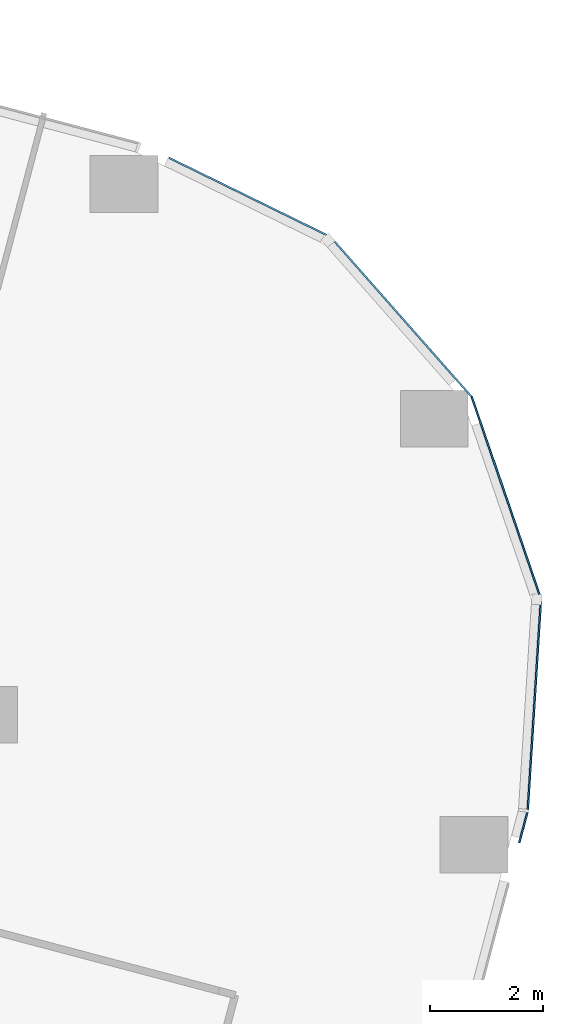
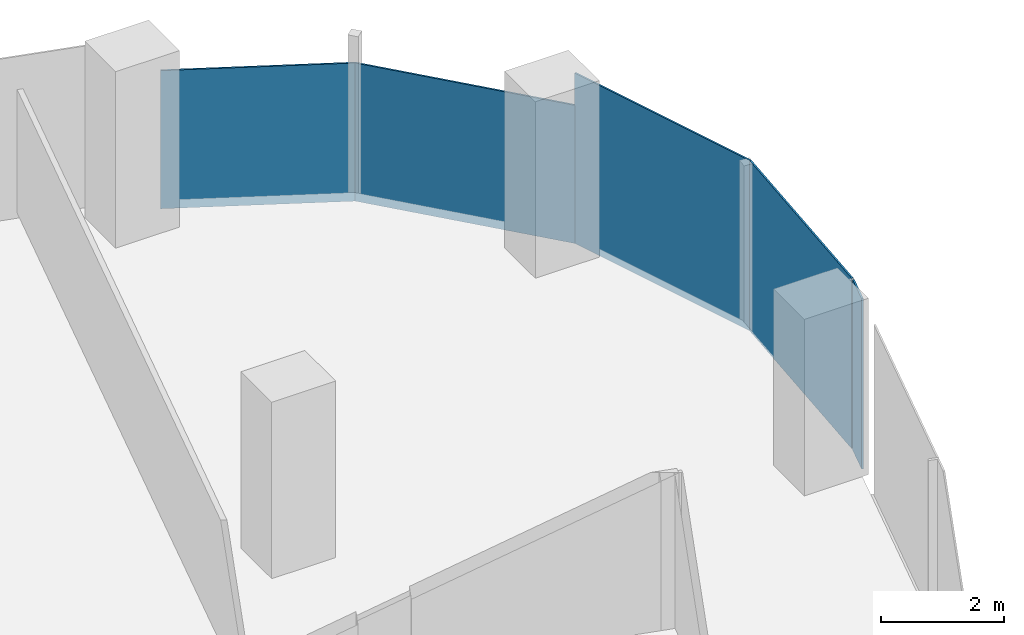
# One storey, part 23 of 35: 5 plates, 5 elements without a shape of their own.
"""IFC4 building model written with IfcOpenShell, lengths in metres."""

from ifc_helpers import new_model, si_unit, direction, frame, origin, origin_2d, place, context, subcontext, project, spatial, rectangle, extrude, material, layer, layer_set, type_object, element, aggregate, save


model = new_model("IFC4")

# Units and contexts
model_context = context("Model", 3, precision=1e-05, world=origin(), true_north=direction((0.0, 1.0)))
body_context = subcontext(model_context, "Body", "Model", "MODEL_VIEW")
ifc_project = project(units=[si_unit("LENGTHUNIT", "METRE"), si_unit("AREAUNIT", "SQUARE_METRE"), si_unit("VOLUMEUNIT", "CUBIC_METRE"), si_unit("PLANEANGLEUNIT", "RADIAN"), si_unit("MASSUNIT", "GRAM", prefix="KILO")], contexts=[model_context])

# Site, building, storey
site_placement = place(None, origin())
site = spatial("IfcSite", under=ifc_project, at=site_placement, CompositionType="ELEMENT")
building_placement = place(site_placement, origin())
building = spatial("IfcBuilding", under=site, at=building_placement, Name="Orlundy Tower", CompositionType="ELEMENT")
storey_placement = place(building_placement, frame((0.0, 0.0, 116.199951171875)))
storey = spatial("IfcBuildingStorey", under=building, at=storey_placement, Name="L29", CompositionType="ELEMENT", Elevation=116.199951171875)

# Curtain wall, plate
ifc_material_1 = material(Name="Aluminium bronze anodised", Category="aluminium")
curtain_wall_type = type_object("IfcCurtainWallType", Name="CW1 wall", PredefinedType="NOTDEFINED", material=ifc_material_1)
curtain_wall_1_placement = place(storey_placement, origin())
curtain_wall_1 = element("IfcCurtainWall", 1, at=curtain_wall_1_placement, inside=storey, type_object=curtain_wall_type, Name="CW1 run 019", PredefinedType="NOTDEFINED")
ifc_material_2 = material(Name="Tinted glass", Category="glass")
ifc_layer = layer(ifc_material_2, 0.031982421875)
ifc_layer_set = layer_set([ifc_layer], Name="CW1 glass panel 32")
plate_type = type_object("IfcPlateType", Name="CW1 glass panel 32", PredefinedType="CURTAIN_PANEL", material=ifc_layer_set)
plate_1_placement = place(storey_placement, frame((56.42724609375, 5.477294921875, -0.27978515625), z_axis=(0.0, 0.0, 1.0), x_axis=(0.898119249702, -0.439751990689, 0.0)))
plate_1 = element("IfcPlate", 2, at=plate_1_placement, type_object=plate_type, Name="CW1 panel", PredefinedType="CURTAIN_PANEL", context=body_context, shape_type="SweptSolid", body=[
    extrude(rectangle(XDim=3.171630859375, YDim=0.031982421875, at=origin_2d()), origin(), (0.0, 0.0, 1.0), 2.739990234375),
])
aggregate(curtain_wall_1, [plate_1])

curtain_wall_2_placement = place(storey_placement, origin())
curtain_wall_2 = element("IfcCurtainWall", 3, at=curtain_wall_2_placement, inside=storey, type_object=curtain_wall_type, Name="CW1 run 020", PredefinedType="NOTDEFINED")
plate_2_placement = place(storey_placement, frame((59.098876953125, 3.365966796875, -0.27978515625), z_axis=(0.0, 0.0, 1.0), x_axis=(0.661612712841, -0.749845729605, 0.0)))
plate_2 = element("IfcPlate", 4, at=plate_2_placement, type_object=plate_type, Name="CW1 panel", PredefinedType="CURTAIN_PANEL", context=body_context, shape_type="SweptSolid", body=[
    extrude(rectangle(XDim=3.771240234375, YDim=0.031982421875, at=origin_2d()), origin(), (0.0, 0.0, 1.0), 2.739990234375),
])
aggregate(curtain_wall_2, [plate_2])

curtain_wall_3_placement = place(storey_placement, origin())
curtain_wall_3 = element("IfcCurtainWall", 5, at=curtain_wall_3_placement, inside=storey, type_object=curtain_wall_type, Name="CW1 run 021", PredefinedType="NOTDEFINED")
plate_3_placement = place(storey_placement, frame((60.958251953125, 0.167724609375, -0.27978515625), z_axis=(0.0, 0.0, 1.0), x_axis=(0.32422777573, -0.945979042815, 0.0)))
plate_3 = element("IfcPlate", 6, at=plate_3_placement, type_object=plate_type, Name="CW1 panel", PredefinedType="CURTAIN_PANEL", context=body_context, shape_type="SweptSolid", body=[
    extrude(rectangle(XDim=3.7724609375, YDim=0.031982421875, at=origin_2d()), origin(), (0.0, 0.0, 1.0), 3.3798828125),
])
aggregate(curtain_wall_3, [plate_3])

curtain_wall_4_placement = place(storey_placement, origin())
curtain_wall_4 = element("IfcCurtainWall", 7, at=curtain_wall_4_placement, inside=storey, type_object=curtain_wall_type, Name="CW1 run 022", PredefinedType="NOTDEFINED")
plate_4_placement = place(storey_placement, frame((61.452880859375, -3.47802734375, -0.27978515625), z_axis=(0.0, 0.0, 1.0), x_axis=(-0.062596654845, -0.998038906457, 0.0)))
plate_4 = element("IfcPlate", 8, at=plate_4_placement, type_object=plate_type, Name="CW1 panel", PredefinedType="CURTAIN_PANEL", context=body_context, shape_type="SweptSolid", body=[
    extrude(rectangle(XDim=3.72998046875, YDim=0.031982421875, at=origin_2d()), origin(), (0.0, 0.0, 1.0), 3.3798828125),
])
aggregate(curtain_wall_4, [plate_4])

curtain_wall_5_placement = place(storey_placement, origin())
curtain_wall_5 = element("IfcCurtainWall", 9, at=curtain_wall_5_placement, inside=storey, type_object=curtain_wall_type, Name="CW1 run 023", PredefinedType="NOTDEFINED")
plate_5_placement = place(storey_placement, frame((61.257568359375, -5.6552734375, -0.27978515625), z_axis=(0.0, 0.0, 1.0), x_axis=(-0.255990719194, -0.966679239296, 0.0)))
plate_5 = element("IfcPlate", 10, at=plate_5_placement, type_object=plate_type, Name="CW1 panel", PredefinedType="CURTAIN_PANEL", context=body_context, shape_type="SweptSolid", body=[
    extrude(rectangle(XDim=0.5517578125, YDim=0.031982421875, at=origin_2d()), origin(), (0.0, 0.0, 1.0), 3.3798828125),
])
aggregate(curtain_wall_5, [plate_5])

save(model, "model.ifc")
